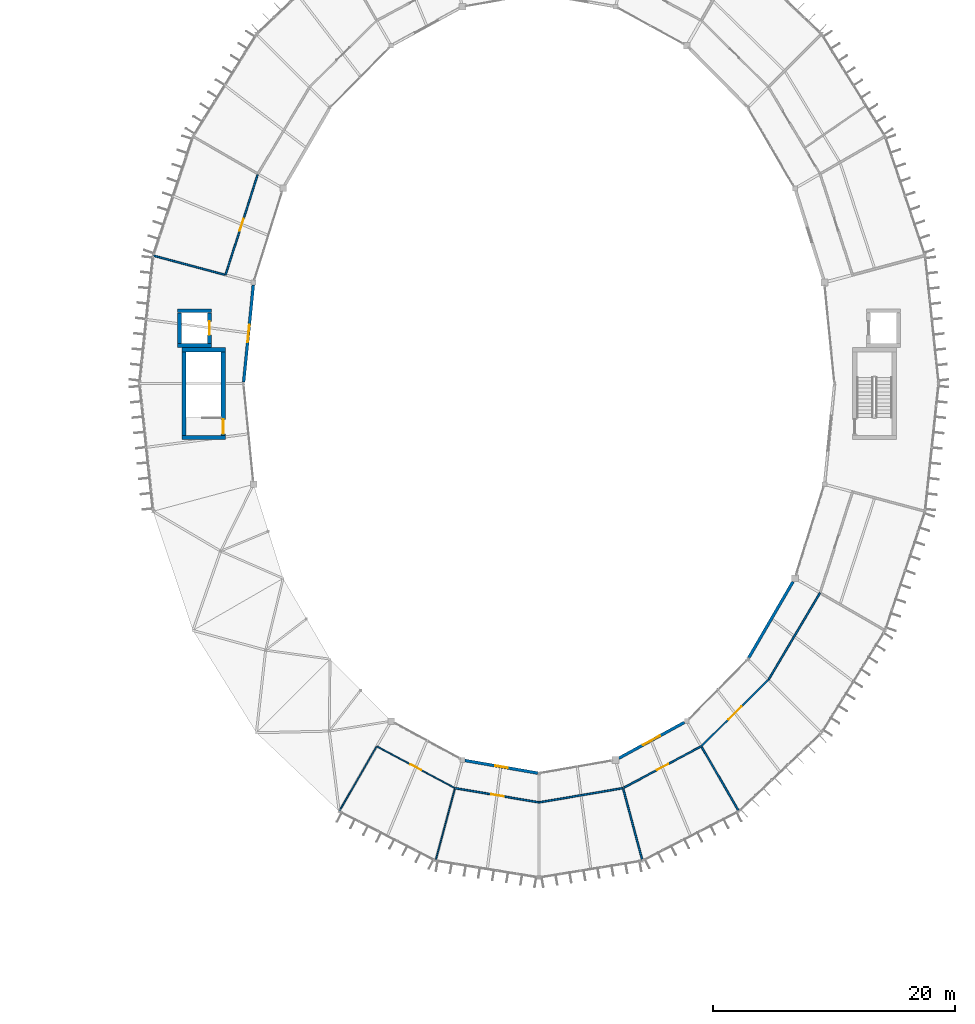
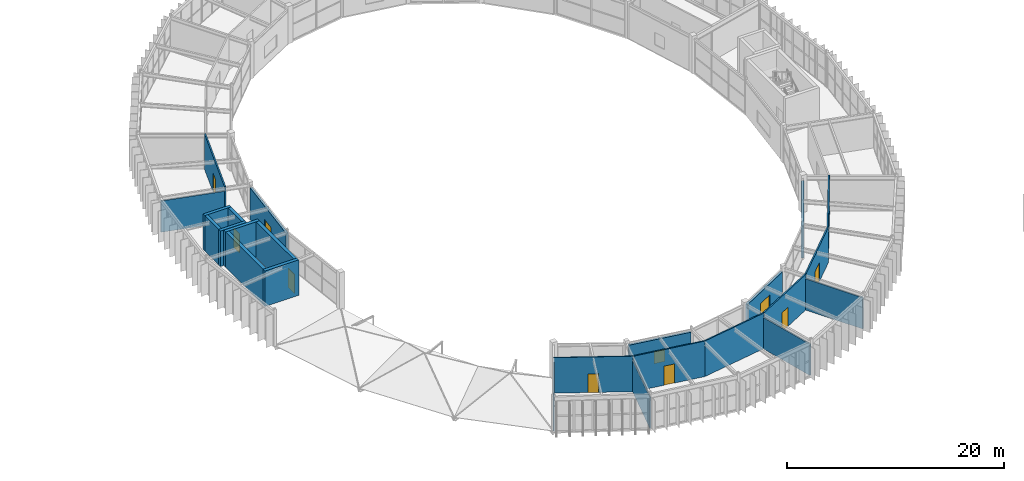
# One storey, part 91 of 106: 24 walls, 7 doors, 3 windows, 10 openings.
"""IFC4 building model written with IfcOpenShell, lengths in metres."""

from ifc_helpers import new_model, si_unit, direction, frame, frame_2d, origin, place, context, subcontext, project, spatial, rectangle, extrude, material, layer, layer_set, type_object, element, fill, save


model = new_model("IFC4")

# Units and contexts
model_context = context("Model", 3, precision=1e-05, world=origin(), true_north=direction((0.0, 1.0)))
body_context = subcontext(model_context, "Body", "Model", "MODEL_VIEW")
ifc_project = project(units=[si_unit("LENGTHUNIT", "METRE"), si_unit("AREAUNIT", "SQUARE_METRE"), si_unit("VOLUMEUNIT", "CUBIC_METRE"), si_unit("PLANEANGLEUNIT", "RADIAN"), si_unit("MASSUNIT", "GRAM", prefix="KILO")], contexts=[model_context])

# Site, building, storey
site_placement = place(None, origin())
site = spatial("IfcSite", under=ifc_project, at=site_placement, CompositionType="ELEMENT")
building_placement = place(site_placement, origin())
building = spatial("IfcBuilding", under=site, at=building_placement, Name="Karori Crest Natural Sciences Institute", CompositionType="ELEMENT")
storey_placement = place(building_placement, frame((0.0, 0.0, 25.89990234375)))
storey = spatial("IfcBuildingStorey", under=building, at=storey_placement, Name="L06", CompositionType="ELEMENT", Elevation=25.89990234375)

# Walls
ifc_material_1 = material(Name="Concrete 50 MPa", Category="concrete")
ifc_layer_1 = layer(ifc_material_1, 0.35009765625, Name="Concrete 50 MPa")
ifc_layer_set_1 = layer_set([ifc_layer_1], Name="Concrete 50 MPa")
wall_type_1 = type_object("IfcWallType", Name="IWT-02", PredefinedType="SHEAR", material=ifc_layer_set_1)
for number, where, z_axis, x_axis, name in (
    (1, (36.89990234375, 45.425048828125, 0.0), (0.0, 0.0, 1.0), (1.0, 0.0, 0.0), "Shear wall IW-0065"),
    (2, (36.89990234375, 52.675048828125, 0.0), (0.0, 0.0, 1.0), (1.0, 0.0, 0.0), "Shear wall IW-0066"),
):
    element("IfcWall", number, at=place(storey_placement, frame(where, z_axis=z_axis, x_axis=x_axis)), inside=storey, type_object=wall_type_1, Name=name, PredefinedType="SHEAR", context=body_context, shape_type="SweptSolid", body=[
        extrude(rectangle(XDim=3.60009765625, YDim=0.35009765625, at=frame_2d((1.800048828125, 0.0))), origin(), (0.0, 0.0, 1.0), 4.0),
    ])
wall_1_placement = place(storey_placement, frame((37.074951171875, 45.60205078125, 0.0), z_axis=(0.0, 0.0, 1.0), x_axis=(0.0, 1.0, 0.0)))
element("IfcWall", 3, at=wall_1_placement, inside=storey, type_object=wall_type_1, Name="Shear wall IW-0067", PredefinedType="SHEAR", context=body_context, shape_type="SweptSolid", body=[
    extrude(rectangle(XDim=6.89599609375, YDim=0.35009765625, at=frame_2d((3.447998046875, 0.0))), origin(), (0.0, 0.0, 1.0), 4.0),
])

# Wall, opening, door
wall_2_placement = place(storey_placement, frame((40.324951171875, 45.60205078125, 0.0), z_axis=(0.0, 0.0, 1.0), x_axis=(0.0, 1.0, 0.0)))
wall_2 = element("IfcWall", 4, at=wall_2_placement, inside=storey, type_object=wall_type_1, Name="Shear wall IW-0068", PredefinedType="SHEAR", context=body_context, shape_type="SweptSolid", body=[
    extrude(rectangle(XDim=6.89599609375, YDim=0.35009765625, at=frame_2d((3.447998046875, 0.0))), origin(), (0.0, 0.0, 1.0), 4.0),
])
opening_1_placement = place(wall_2_placement, frame((0.1201171875, 0.0, 0.0)))
opening_1 = element("IfcOpeningElement", 5, at=opening_1_placement, cuts=wall_2, Name="Opening ID-0017", PredefinedType="OPENING", context=body_context, shape_type="SweptSolid", body=[
    extrude(rectangle(XDim=1.199951171875, YDim=2.14990234375, at=frame_2d((0.60009765625, 1.074951171875))), frame((0.0, 0.18505859375, 0.0), z_axis=(0.0, -1.0, 0.0), x_axis=(1.0, 0.0, 0.0)), (0.0, 0.0, 1.0), 0.3701171875),
])
ifc_material_2 = material(Name="Stainless steel 316 and fire-rated timber", Category="steel")
door_type_1 = type_object("IfcDoorType", Name="IDT-01", OperationType="NOTDEFINED", PredefinedType="DOOR", material=ifc_material_2)
door_1_placement = place(opening_1_placement, origin())
door_1 = element("IfcDoor", 6, at=door_1_placement, inside=storey, type_object=door_type_1, Name="Stair ST-02 fire door ID-0017", OperationType="SINGLE_SWING_LEFT", OverallHeight=2.14990234375, OverallWidth=1.199951171875, PredefinedType="DOOR", context=body_context, shape_type="SweptSolid", body=[
    extrude(rectangle(XDim=1.199951171875, YDim=2.14990234375, at=frame_2d((0.60009765625, 1.074951171875))), frame((0.0, 0.02490234375, 0.0), z_axis=(0.0, -1.0, 0.0), x_axis=(1.0, 0.0, 0.0)), (0.0, 0.0, 1.0), 0.050048828125),
])
fill(opening_1, door_1)

# Walls
ifc_layer_2 = layer(ifc_material_1, 0.320068359375, Name="Concrete 50 MPa")
ifc_layer_set_2 = layer_set([ifc_layer_2], Name="Concrete 50 MPa")
wall_type_2 = type_object("IfcWallType", Name="IWT-03", PredefinedType="SHEAR", material=ifc_layer_set_2)
for number, where, z_axis, x_axis, name in (
    (7, (36.544921875, 53.030029296875, 0.0), (0.0, 0.0, 1.0), (1.0, 0.0, 0.0), "Shear wall IW-0465"),
    (8, (36.544921875, 55.89501953125, 0.0), (0.0, 0.0, 1.0), (1.0, 0.0, 0.0), "Shear wall IW-0466"),
):
    element("IfcWall", number, at=place(storey_placement, frame(where, z_axis=z_axis, x_axis=x_axis)), inside=storey, type_object=wall_type_2, Name=name, PredefinedType="SHEAR", context=body_context, shape_type="SweptSolid", body=[
        extrude(rectangle(XDim=2.81005859375, YDim=0.320068359375, at=frame_2d((1.405029296875, 0.0))), origin(), (0.0, 0.0, 1.0), 4.0),
    ])
wall_3_placement = place(storey_placement, frame((36.705078125, 53.19189453125, 0.0), z_axis=(0.0, 0.0, 1.0), x_axis=(0.0, 1.0, 0.0)))
element("IfcWall", 9, at=wall_3_placement, inside=storey, type_object=wall_type_2, Name="Shear wall IW-0467", PredefinedType="SHEAR", context=body_context, shape_type="SweptSolid", body=[
    extrude(rectangle(XDim=2.541015625, YDim=0.320068359375, at=frame_2d((1.2705078125, 0.0))), origin(), (0.0, 0.0, 1.0), 4.0),
])

# Wall, opening, door
wall_4_placement = place(storey_placement, frame((39.195068359375, 53.19189453125, 0.0), z_axis=(0.0, 0.0, 1.0), x_axis=(0.0, 1.0, 0.0)))
wall_4 = element("IfcWall", 10, at=wall_4_placement, inside=storey, type_object=wall_type_2, Name="Shear wall IW-0468", PredefinedType="SHEAR", context=body_context, shape_type="SweptSolid", body=[
    extrude(rectangle(XDim=2.541015625, YDim=0.320068359375, at=frame_2d((1.2705078125, 0.0))), origin(), (0.0, 0.0, 1.0), 4.0),
])
opening_2_placement = place(wall_4_placement, frame((0.720458984375, 0.0, 0.0)))
opening_2 = element("IfcOpeningElement", 11, at=opening_2_placement, cuts=wall_4, Name="Opening LD-0041", PredefinedType="OPENING", context=body_context, shape_type="SweptSolid", body=[
    extrude(rectangle(XDim=1.10009765625, YDim=2.14990234375, at=frame_2d((0.550048828125, 1.074951171875))), frame((0.0, 0.169921875, 0.0), z_axis=(0.0, -1.0, 0.0), x_axis=(1.0, 0.0, 0.0)), (0.0, 0.0, 1.0), 0.340087890625),
])
door_type_2 = type_object("IfcDoorType", Name="LDT-01", OperationType="SLIDING_TO_LEFT", PredefinedType="DOOR", material=ifc_material_2)
door_2_placement = place(opening_2_placement, origin())
door_2 = element("IfcDoor", 12, at=door_2_placement, inside=storey, type_object=door_type_2, Name="Lift LP-02 landing door LD-0041", OperationType="SLIDING_TO_LEFT", OverallHeight=2.14990234375, OverallWidth=1.10009765625, PredefinedType="DOOR", context=body_context, shape_type="SweptSolid", body=[
    extrude(rectangle(XDim=1.10009765625, YDim=2.14990234375, at=frame_2d((0.550048828125, 1.074951171875))), frame((0.0, 0.02490234375, 0.0), z_axis=(0.0, -1.0, 0.0), x_axis=(1.0, 0.0, 0.0)), (0.0, 0.0, 1.0), 0.050048828125),
])
fill(opening_2, door_2)

ifc_material_3 = material(Name="Laboratory acoustic drywall partition")
ifc_layer_3 = layer(ifc_material_3, 0.139892578125, Name="Laboratory acoustic drywall partition")
ifc_layer_set_3 = layer_set([ifc_layer_3], Name="Laboratory acoustic drywall partition")
wall_type_3 = type_object("IfcWallType", Name="IWT-07", PredefinedType="PARTITIONING", material=ifc_layer_set_3)
wall_5_placement = place(storey_placement, frame((59.51513671875, 16.47021484375, 0.0), z_axis=(0.0, 0.0, 1.0), x_axis=(0.985861622289, -0.167561516157, 0.0)))
wall_5 = element("IfcWall", 13, at=wall_5_placement, inside=storey, type_object=wall_type_3, Name="Partition wall IW-1409", PredefinedType="PARTITIONING", context=body_context, shape_type="SweptSolid", body=[
    extrude(rectangle(XDim=6.9833984375, YDim=0.139892578125, at=frame_2d((3.49169921875, 0.0))), origin(), (0.0, 0.0, 1.0), 4.0),
])
opening_3_placement = place(wall_5_placement, frame((2.966796875, 0.0, 0.0)))
opening_3 = element("IfcOpeningElement", 14, at=opening_3_placement, cuts=wall_5, Name="Opening ID-0449", PredefinedType="OPENING", context=body_context, shape_type="SweptSolid", body=[
    extrude(rectangle(XDim=1.050048828125, YDim=2.14990234375, at=frame_2d((0.52490234375, 1.074951171875))), frame((0.0, 0.080078125, 0.0), z_axis=(0.0, -1.0, 0.0), x_axis=(1.0, 0.0, 0.0)), (0.0, 0.0, 1.0), 0.159912109375),
])
door_type_3 = type_object("IfcDoorType", Name="IDT-03", OperationType="NOTDEFINED", PredefinedType="DOOR", material=ifc_material_2)
door_3_placement = place(opening_3_placement, origin())
door_3 = element("IfcDoor", 15, at=door_3_placement, inside=storey, type_object=door_type_3, Name="Dry Optics Physics Laboratory door ID-0449", OperationType="SINGLE_SWING_RIGHT", OverallHeight=2.14990234375, OverallWidth=1.050048828125, PredefinedType="DOOR", context=body_context, shape_type="SweptSolid", body=[
    extrude(rectangle(XDim=1.050048828125, YDim=2.14990234375, at=frame_2d((0.52490234375, 1.074951171875))), frame((0.0, 0.02490234375, 0.0), z_axis=(0.0, -1.0, 0.0), x_axis=(1.0, 0.0, 0.0)), (0.0, 0.0, 1.0), 0.050048828125),
])
fill(opening_3, door_3)

# Walls
wall_6_placement = place(storey_placement, frame((66.402099609375, 15.30029296875, 0.0), z_axis=(0.0, 0.0, 1.0), x_axis=(0.985858771321, 0.167578289193, 0.0)))
element("IfcWall", 16, at=wall_6_placement, inside=storey, type_object=wall_type_3, Name="Partition wall IW-1410", PredefinedType="PARTITIONING", context=body_context, shape_type="SweptSolid", body=[
    extrude(rectangle(XDim=7.03369140625, YDim=0.139892578125, at=frame_2d((3.516845703125, 0.0))), origin(), (0.0, 0.0, 1.0), 4.0),
])
wall_7_placement = place(storey_placement, frame((73.357177734375, 16.401611328125, 0.0), z_axis=(0.0, 0.0, 1.0), x_axis=(0.258805895167, -0.965929349708, 0.0)))
element("IfcWall", 17, at=wall_7_placement, inside=storey, type_object=wall_type_3, Name="Partition wall IW-1411", PredefinedType="PARTITIONING", context=body_context, shape_type="SweptSolid", body=[
    extrude(rectangle(XDim=6.06005859375, YDim=0.139892578125, at=frame_2d((3.030029296875, 0.0))), origin(), (0.0, 0.0, 1.0), 3.522216796875),
])

# Wall, opening, door
wall_8_placement = place(storey_placement, frame((73.401611328125, 16.513916015625, 0.0), z_axis=(0.0, 0.0, 1.0), x_axis=(0.881829873621, 0.471567676999, 0.0)))
wall_8 = element("IfcWall", 18, at=wall_8_placement, inside=storey, type_object=wall_type_3, Name="Partition wall IW-1412", PredefinedType="PARTITIONING", context=body_context, shape_type="SweptSolid", body=[
    extrude(rectangle(XDim=7.255859375, YDim=0.139892578125, at=frame_2d((3.6279296875, 0.0))), origin(), (0.0, 0.0, 1.0), 4.0),
])
opening_4_placement = place(wall_8_placement, frame((3.10302734375, 0.0, 0.0)))
opening_4 = element("IfcOpeningElement", 19, at=opening_4_placement, cuts=wall_8, Name="Opening ID-0450", PredefinedType="OPENING", context=body_context, shape_type="SweptSolid", body=[
    extrude(rectangle(XDim=1.050048828125, YDim=2.14990234375, at=frame_2d((0.52490234375, 1.074951171875))), frame((0.0, 0.080078125, 0.0), z_axis=(0.0, -1.0, 0.0), x_axis=(1.0, 0.0, 0.0)), (0.0, 0.0, 1.0), 0.159912109375),
])
door_4_placement = place(opening_4_placement, origin())
door_4 = element("IfcDoor", 20, at=door_4_placement, inside=storey, type_object=door_type_3, Name="Atmospheric Physics Laboratory door ID-0450", OperationType="SINGLE_SWING_LEFT", OverallHeight=2.14990234375, OverallWidth=1.050048828125, PredefinedType="DOOR", context=body_context, shape_type="SweptSolid", body=[
    extrude(rectangle(XDim=1.050048828125, YDim=2.14990234375, at=frame_2d((0.52490234375, 1.074951171875))), frame((0.0, 0.02490234375, 0.0), z_axis=(0.0, -1.0, 0.0), x_axis=(1.0, 0.0, 0.0)), (0.0, 0.0, 1.0), 0.050048828125),
])
fill(opening_4, door_4)

# Wall
wall_9_placement = place(storey_placement, frame((79.840087890625, 19.8662109375, 0.0), z_axis=(0.0, 0.0, 1.0), x_axis=(0.500008418462, -0.866020543329, 0.0)))
element("IfcWall", 21, at=wall_9_placement, inside=storey, type_object=wall_type_3, Name="Partition wall IW-1413", PredefinedType="PARTITIONING", context=body_context, shape_type="SweptSolid", body=[
    extrude(rectangle(XDim=6.06005859375, YDim=0.139892578125, at=frame_2d((3.030029296875, 0.0))), origin(), (0.0, 0.0, 1.0), 3.522216796875),
])

# Wall, opening, door
wall_10_placement = place(storey_placement, frame((79.801513671875, 19.93701171875, 0.0), z_axis=(0.0, 0.0, 1.0), x_axis=(0.710427757183, 0.703770134222, 0.0)))
wall_10 = element("IfcWall", 22, at=wall_10_placement, inside=storey, type_object=wall_type_3, Name="Partition wall IW-1414", PredefinedType="PARTITIONING", context=body_context, shape_type="SweptSolid", body=[
    extrude(rectangle(XDim=7.810791015625, YDim=0.139892578125, at=frame_2d((3.9052734375, 0.0))), origin(), (0.0, 0.0, 1.0), 4.0),
])
opening_5_placement = place(wall_10_placement, frame((3.155517578125, 0.0, 0.0)))
opening_5 = element("IfcOpeningElement", 23, at=opening_5_placement, cuts=wall_10, Name="Opening ID-0451", PredefinedType="OPENING", context=body_context, shape_type="SweptSolid", body=[
    extrude(rectangle(XDim=1.5, YDim=2.14990234375, at=frame_2d((0.75, 1.074951171875))), frame((0.0, 0.080078125, 0.0), z_axis=(0.0, -1.0, 0.0), x_axis=(1.0, 0.0, 0.0)), (0.0, 0.0, 1.0), 0.159912109375),
])
door_type_4 = type_object("IfcDoorType", Name="IDT-05", OperationType="DOUBLE_DOOR_SINGLE_SWING", PredefinedType="DOOR", material=ifc_material_2)
door_5_placement = place(opening_5_placement, origin())
door_5 = element("IfcDoor", 24, at=door_5_placement, inside=storey, type_object=door_type_4, Name="Paleoclimate Core Analysis Laboratory door ID-0451", OperationType="DOUBLE_DOOR_SINGLE_SWING", OverallHeight=2.14990234375, OverallWidth=1.5, PredefinedType="DOOR", context=body_context, shape_type="SweptSolid", body=[
    extrude(rectangle(XDim=1.5, YDim=2.14990234375, at=frame_2d((0.75, 1.074951171875))), frame((0.0, 0.02490234375, 0.0), z_axis=(0.0, -1.0, 0.0), x_axis=(1.0, 0.0, 0.0)), (0.0, 0.0, 1.0), 0.050048828125),
])
fill(opening_5, door_5)

# Wall
wall_11_placement = place(storey_placement, frame((85.3515625, 25.435791015625, 0.0), z_axis=(0.0, 0.0, 1.0), x_axis=(0.510915698067, 0.859630821614, 0.0)))
element("IfcWall", 25, at=wall_11_placement, inside=storey, type_object=wall_type_3, Name="Partition wall IW-1415", PredefinedType="PARTITIONING", context=body_context, shape_type="SweptSolid", body=[
    extrude(rectangle(XDim=8.334228515625, YDim=0.139892578125, at=frame_2d((4.1669921875, 0.0))), origin(), (0.0, 0.0, 1.0), 4.0),
])

# Wall, opening, door
wall_12_placement = place(storey_placement, frame((43.16796875, 67.1298828125, 0.0), z_axis=(0.0, 0.0, 1.0), x_axis=(-0.305487150125, -0.952196198852, 0.0)))
wall_12 = element("IfcWall", 26, at=wall_12_placement, inside=storey, type_object=wall_type_3, Name="Partition wall IW-1438", PredefinedType="PARTITIONING", context=body_context, shape_type="SweptSolid", body=[
    extrude(rectangle(XDim=8.6904296875, YDim=0.139892578125, at=frame_2d((4.34521484375, 0.0))), origin(), (0.0, 0.0, 1.0), 4.0),
])
opening_6_placement = place(wall_12_placement, frame((3.820068359375, 0.0, 0.0)))
opening_6 = element("IfcOpeningElement", 27, at=opening_6_placement, cuts=wall_12, Name="Opening ID-0461", PredefinedType="OPENING", context=body_context, shape_type="SweptSolid", body=[
    extrude(rectangle(XDim=1.050048828125, YDim=2.14990234375, at=frame_2d((0.52490234375, 1.074951171875))), frame((0.0, 0.080078125, 0.0), z_axis=(0.0, -1.0, 0.0), x_axis=(1.0, 0.0, 0.0)), (0.0, 0.0, 1.0), 0.159912109375),
])
door_6_placement = place(opening_6_placement, origin())
door_6 = element("IfcDoor", 28, at=door_6_placement, inside=storey, type_object=door_type_3, Name="Mass Spectrometry Instrument Room door ID-0461", OperationType="SINGLE_SWING_RIGHT", OverallHeight=2.14990234375, OverallWidth=1.050048828125, PredefinedType="DOOR", context=body_context, shape_type="SweptSolid", body=[
    extrude(rectangle(XDim=1.050048828125, YDim=2.14990234375, at=frame_2d((0.52490234375, 1.074951171875))), frame((0.0, 0.02490234375, 0.0), z_axis=(0.0, -1.0, 0.0), x_axis=(1.0, 0.0, 0.0)), (0.0, 0.0, 1.0), 0.050048828125),
])
fill(opening_6, door_6)

# Wall
wall_13_placement = place(storey_placement, frame((40.435791015625, 58.875732421875, 0.0), z_axis=(0.0, 0.0, 1.0), x_axis=(-0.965916578341, 0.258853556448, 0.0)))
element("IfcWall", 29, at=wall_13_placement, inside=storey, type_object=wall_type_3, Name="Partition wall IW-1439", PredefinedType="PARTITIONING", context=body_context, shape_type="SweptSolid", body=[
    extrude(rectangle(XDim=6.059814453125, YDim=0.139892578125, at=frame_2d((3.02978515625, 0.0))), origin(), (0.0, 0.0, 1.0), 3.522216796875),
])

# Wall, opening, door
ifc_material_4 = material(Name="Washroom moisture-resistant partition")
ifc_layer_4 = layer(ifc_material_4, 0.10009765625, Name="Washroom moisture-resistant partition")
ifc_layer_set_4 = layer_set([ifc_layer_4], Name="Washroom moisture-resistant partition")
wall_type_4 = type_object("IfcWallType", Name="IWT-09", PredefinedType="PARTITIONING", material=ifc_layer_set_4)
wall_14_placement = place(storey_placement, frame((53.0, 19.935546875, 0.0), z_axis=(0.0, 0.0, 1.0), x_axis=(0.88182684056, -0.471573348768, 0.0)))
wall_14 = element("IfcWall", 30, at=wall_14_placement, inside=storey, type_object=wall_type_4, Name="Partition wall IW-1406", PredefinedType="PARTITIONING", context=body_context, shape_type="SweptSolid", body=[
    extrude(rectangle(XDim=7.329833984375, YDim=0.10009765625, at=frame_2d((3.6650390625, 0.0))), origin(), (0.0, 0.0, 1.0), 4.0),
])
opening_7_placement = place(wall_14_placement, frame((3.164794921875, 0.0, 0.0)))
opening_7 = element("IfcOpeningElement", 31, at=opening_7_placement, cuts=wall_14, Name="Opening ID-0448", PredefinedType="OPENING", context=body_context, shape_type="SweptSolid", body=[
    extrude(rectangle(XDim=1.0, YDim=2.10009765625, at=frame_2d((0.5, 1.050048828125))), frame((0.0, 0.06005859375, 0.0), z_axis=(0.0, -1.0, 0.0), x_axis=(1.0, 0.0, 0.0)), (0.0, 0.0, 1.0), 0.1201171875),
])
ifc_material_5 = material(Name="Anodised aluminium and acoustic timber", Category="wood")
door_type_5 = type_object("IfcDoorType", Name="IDT-09", OperationType="NOTDEFINED", PredefinedType="DOOR", material=ifc_material_5)
door_7_placement = place(opening_7_placement, origin())
door_7 = element("IfcDoor", 32, at=door_7_placement, inside=storey, type_object=door_type_5, Name="Laboratory Washroom WC door ID-0448", OperationType="SINGLE_SWING_LEFT", OverallHeight=2.10009765625, OverallWidth=1.0, PredefinedType="DOOR", context=body_context, shape_type="SweptSolid", body=[
    extrude(rectangle(XDim=1.0, YDim=2.10009765625, at=frame_2d((0.5, 1.050048828125))), frame((0.0, 0.02490234375, 0.0), z_axis=(0.0, -1.0, 0.0), x_axis=(1.0, 0.0, 0.0)), (0.0, 0.0, 1.0), 0.050048828125),
])
fill(opening_7, door_7)

# Walls
for number, where, z_axis, x_axis, name in (
    (33, (52.9599609375, 19.8662109375, 0.0), (0.0, 0.0, 1.0), (-0.500008418462, -0.866020543329, 0.0), "Partition wall IW-1407"),
    (34, (59.44287109375, 16.401611328125, 0.0), (0.0, 0.0, 1.0), (-0.258805895167, -0.965929349708, 0.0), "Partition wall IW-1408"),
):
    element("IfcWall", number, at=place(storey_placement, frame(where, z_axis=z_axis, x_axis=x_axis)), inside=storey, type_object=wall_type_4, Name=name, PredefinedType="PARTITIONING", context=body_context, shape_type="SweptSolid", body=[
        extrude(rectangle(XDim=6.06005859375, YDim=0.10009765625, at=frame_2d((3.030029296875, 0.0))), origin(), (0.0, 0.0, 1.0), 3.522216796875),
    ])

# Wall, opening, window
ifc_material_6 = material(Name="Precast concrete 40 MPa", Category="concrete")
ifc_layer_5 = layer(ifc_material_6, 0.239990234375, Name="Precast concrete 40 MPa")
ifc_layer_set_5 = layer_set([ifc_layer_5], Name="Precast concrete 40 MPa")
wall_type_5 = type_object("IfcWallType", Name="WT-04", PredefinedType="SOLIDWALL", material=ifc_layer_set_5)
wall_15_placement = place(storey_placement, frame((60.28271484375, 18.7626953125, 0.0), z_axis=(0.0, 0.0, 1.0), x_axis=(0.985246064368, -0.171143777706, 0.0)))
wall_15 = element("IfcWall", 35, at=wall_15_placement, inside=storey, type_object=wall_type_5, Name="Exterior wall EW-0100", PredefinedType="SOLIDWALL", context=body_context, shape_type="SweptSolid", body=[
    extrude(rectangle(XDim=6.10693359375, YDim=0.239990234375, at=frame_2d((3.053466796875, 0.0))), origin(), (0.0, 0.0, 1.0), 3.60009765625),
])
opening_8_placement = place(wall_15_placement, frame((2.5283203125, 0.0, 0.85009765625)))
opening_8 = element("IfcOpeningElement", 36, at=opening_8_placement, cuts=wall_15, Name="Opening WN-0046", PredefinedType="OPENING", context=body_context, shape_type="SweptSolid", body=[
    extrude(rectangle(XDim=1.050048828125, YDim=1.35009765625, at=frame_2d((0.52490234375, 0.675048828125))), frame((0.0, 0.1298828125, 0.0), z_axis=(0.0, -1.0, 0.0), x_axis=(1.0, 0.0, 0.0)), (0.0, 0.0, 1.0), 0.260009765625),
])
ifc_material_7 = material(Name="Double low-E laminated glass", Category="glass")
window_type_1 = type_object("IfcWindowType", Name="WNT-18", PartitioningType="SINGLE_PANEL", PredefinedType="WINDOW", material=ifc_material_7)
window_1_placement = place(opening_8_placement, origin())
window_1 = element("IfcWindow", 37, at=window_1_placement, inside=storey, type_object=window_type_1, Name="Window WN-0046", OverallHeight=1.35009765625, OverallWidth=1.050048828125, PartitioningType="SINGLE_PANEL", PredefinedType="WINDOW", context=body_context, shape_type="SweptSolid", body=[
    extrude(rectangle(XDim=1.050048828125, YDim=1.35009765625, at=frame_2d((0.52490234375, 0.675048828125))), frame((0.0, 0.030029296875, 0.0), z_axis=(0.0, -1.0, 0.0), x_axis=(1.0, 0.0, 0.0)), (0.0, 0.0, 1.0), 0.06005859375),
])
fill(opening_8, window_1)

wall_16_placement = place(storey_placement, frame((72.98828125, 18.946533203125, 0.0), z_axis=(0.0, 0.0, 1.0), x_axis=(0.877477839064, 0.479617182712, 0.0)))
wall_16 = element("IfcWall", 38, at=wall_16_placement, inside=storey, type_object=wall_type_5, Name="Exterior wall EW-0101", PredefinedType="SOLIDWALL", context=body_context, shape_type="SweptSolid", body=[
    extrude(rectangle(XDim=6.16943359375, YDim=0.239990234375, at=frame_2d((3.084716796875, 0.0))), origin(), (0.0, 0.0, 1.0), 3.60009765625),
])
opening_9_placement = place(wall_16_placement, frame((2.28466796875, 0.0, 0.85009765625)))
opening_9 = element("IfcOpeningElement", 39, at=opening_9_placement, cuts=wall_16, Name="Opening WN-0047", PredefinedType="OPENING", context=body_context, shape_type="SweptSolid", body=[
    extrude(rectangle(XDim=1.60009765625, YDim=1.5, at=frame_2d((0.800048828125, 0.75))), frame((0.0, 0.1298828125, 0.0), z_axis=(0.0, -1.0, 0.0), x_axis=(1.0, 0.0, 0.0)), (0.0, 0.0, 1.0), 0.260009765625),
])
window_type_2 = type_object("IfcWindowType", Name="WNT-20", PartitioningType="SINGLE_PANEL", PredefinedType="WINDOW", material=ifc_material_7)
window_2_placement = place(opening_9_placement, origin())
window_2 = element("IfcWindow", 40, at=window_2_placement, inside=storey, type_object=window_type_2, Name="Window WN-0047", OverallHeight=1.5, OverallWidth=1.60009765625, PartitioningType="SINGLE_PANEL", PredefinedType="WINDOW", context=body_context, shape_type="SweptSolid", body=[
    extrude(rectangle(XDim=1.60009765625, YDim=1.5, at=frame_2d((0.800048828125, 0.75))), frame((0.0, 0.030029296875, 0.0), z_axis=(0.0, -1.0, 0.0), x_axis=(1.0, 0.0, 0.0)), (0.0, 0.0, 1.0), 0.06005859375),
])
fill(opening_9, window_2)

# Wall
wall_17_placement = place(storey_placement, frame((83.71337890625, 27.234619140625, 0.0), z_axis=(0.0, 0.0, 1.0), x_axis=(0.502677590803, 0.864473967048, 0.0)))
element("IfcWall", 41, at=wall_17_placement, inside=storey, type_object=wall_type_5, Name="Exterior wall EW-0102", PredefinedType="SOLIDWALL", context=body_context, shape_type="SweptSolid", body=[
    extrude(rectangle(XDim=7.2783203125, YDim=0.239990234375, at=frame_2d((3.63916015625, 0.0))), origin(), (0.0, 0.0, 1.0), 3.60009765625),
])

# Wall, opening, window
wall_18_placement = place(storey_placement, frame((42.8115234375, 58.035888671875, 0.0), z_axis=(0.0, 0.0, 1.0), x_axis=(-0.099255190182, -0.995062011747, 0.0)))
wall_18 = element("IfcWall", 42, at=wall_18_placement, inside=storey, type_object=wall_type_5, Name="Exterior wall EW-0109", PredefinedType="SOLIDWALL", context=body_context, shape_type="SweptSolid", body=[
    extrude(rectangle(XDim=8.07275390625, YDim=0.239990234375, at=frame_2d((4.036376953125, 0.0))), origin(), (0.0, 0.0, 1.0), 3.60009765625),
])
opening_10_placement = place(wall_18_placement, frame((3.311279296875, 0.0, 0.85009765625)))
opening_10 = element("IfcOpeningElement", 43, at=opening_10_placement, cuts=wall_18, Name="Opening WN-0052", PredefinedType="OPENING", context=body_context, shape_type="SweptSolid", body=[
    extrude(rectangle(XDim=1.449951171875, YDim=1.25, at=frame_2d((0.72509765625, 0.625))), frame((0.0, 0.1298828125, 0.0), z_axis=(0.0, -1.0, 0.0), x_axis=(1.0, 0.0, 0.0)), (0.0, 0.0, 1.0), 0.260009765625),
])
window_type_3 = type_object("IfcWindowType", Name="WNT-12", PartitioningType="SINGLE_PANEL", PredefinedType="WINDOW", material=ifc_material_7)
window_3_placement = place(opening_10_placement, origin())
window_3 = element("IfcWindow", 44, at=window_3_placement, inside=storey, type_object=window_type_3, Name="Window WN-0052", OverallHeight=1.25, OverallWidth=1.449951171875, PartitioningType="SINGLE_PANEL", PredefinedType="WINDOW", context=body_context, shape_type="SweptSolid", body=[
    extrude(rectangle(XDim=1.449951171875, YDim=1.25, at=frame_2d((0.72509765625, 0.625))), frame((0.0, 0.030029296875, 0.0), z_axis=(0.0, -1.0, 0.0), x_axis=(1.0, 0.0, 0.0)), (0.0, 0.0, 1.0), 0.06005859375),
])
fill(opening_10, window_3)

save(model, "model.ifc")
